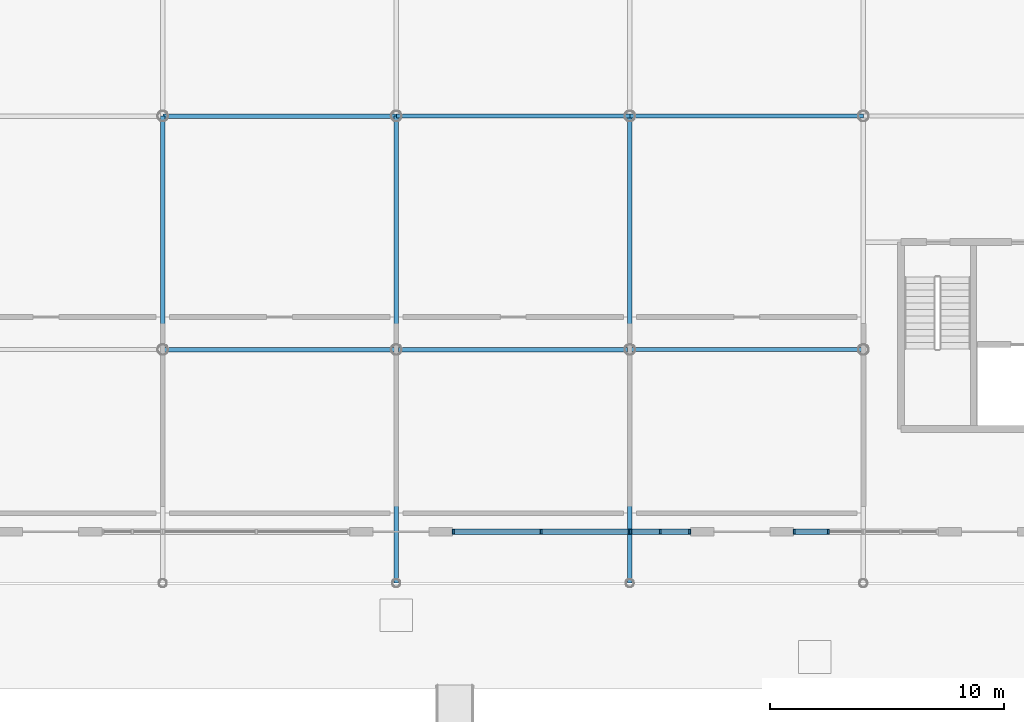
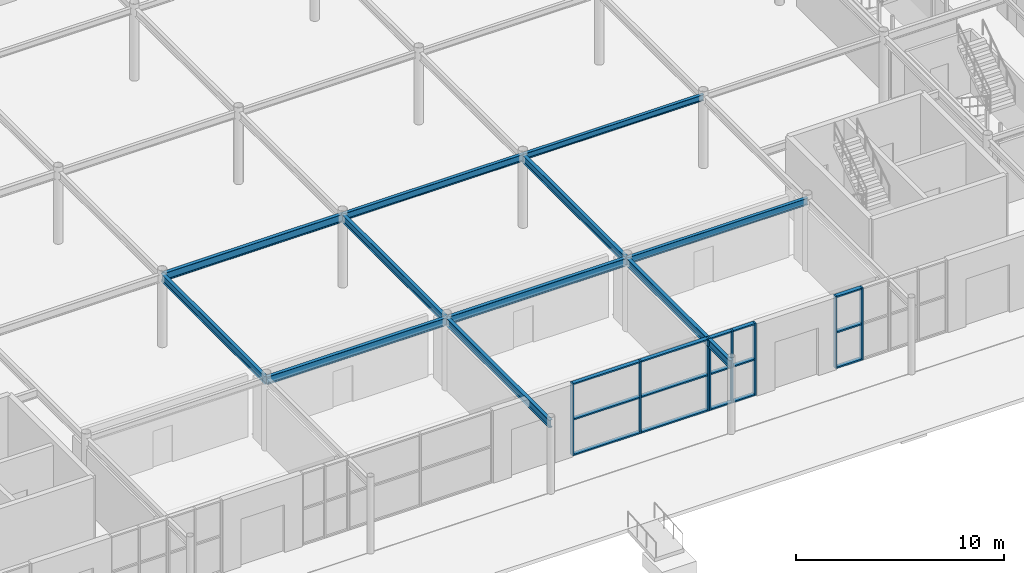
# One storey, part 54 of 119: 23 members, 11 beams, 3 elements without a shape of their own.
"""IFC4 building model written with IfcOpenShell, lengths in metres."""

import ifcopenshell
import ifcopenshell.guid

model = None  # the IFC model being written
_history = None  # IfcOwnerHistory: only IFC2X3 demands one
_inside = {}  # id of a spatial element -> (the spatial element, [elements in it])
_under = {}  # id of a project, library or spatial element -> (it, [spatial elements below it])
_declared = {}  # id of a project -> (the project, [libraries it declares])
_typed = {}  # id of a type object -> (the type object, [elements of that type])
_made_of = {}  # id of a material, layer set ... -> (it, [elements and type objects made of it])


def new_model(schema):
    """Start an empty IFC model of exactly this schema.

    Asked for "IFC4X3", IfcOpenShell would pick the latest addendum, in which some entities
    have other attributes; the version numbers below select the first issue.
    IFC2X3 requires an IfcOwnerHistory on every rooted entity: one is made here for all.
    """
    global model, _history
    if schema == "IFC4X3":
        model = ifcopenshell.file(schema_version=(4, 3, 0, 0))
    else:
        model = ifcopenshell.file(schema=schema)
    _inside.clear()
    _under.clear()
    _declared.clear()
    _typed.clear()
    _made_of.clear()
    _history = None
    if model.schema == "IFC2X3":
        org = make("IfcOrganization", Name="unknown")
        user = make(
            "IfcPersonAndOrganization",
            ThePerson=make("IfcPerson", FamilyName="unknown"),
            TheOrganization=org,
        )
        app = make(
            "IfcApplication",
            ApplicationDeveloper=org,
            Version="unknown",
            ApplicationFullName="unknown",
            ApplicationIdentifier="unknown",
        )
        _history = make(
            "IfcOwnerHistory",
            OwningUser=user,
            OwningApplication=app,
            ChangeAction="ADDED",
            CreationDate=0,
        )
    return model


def make(cls, **values):
    """One entity of the class cls with the attributes given. An attribute that is None is left unset."""
    return model.create_entity(
        cls, **{name: value for name, value in values.items() if value is not None}
    )


def rooted(cls, **values):
    """An entity with a GlobalId (a new one), such as an element, a storey or a relation."""
    return make(cls, GlobalId=ifcopenshell.guid.new(), OwnerHistory=_history, **values)


def si_unit(unit_type, name, prefix=None):
    """IfcSIUnit, for example si_unit("LENGTHUNIT", "METRE", prefix="MILLI")."""
    return make("IfcSIUnit", UnitType=unit_type, Prefix=prefix, Name=name)


def derived_unit(unit_type, elements):
    """IfcDerivedUnit: a product of units, each with its exponent."""
    return make(
        "IfcDerivedUnit",
        Elements=[
            make("IfcDerivedUnitElement", Unit=unit, Exponent=power)
            for unit, power in elements
        ],
        UnitType=unit_type,
    )


def assignment(units):
    """IfcUnitAssignment: the units of a project."""
    return None if units is None else make("IfcUnitAssignment", Units=units)


def point(xyz):
    """IfcCartesianPoint."""
    return None if xyz is None else make("IfcCartesianPoint", Coordinates=xyz)


def direction(xyz):
    """IfcDirection."""
    return None if xyz is None else make("IfcDirection", DirectionRatios=xyz)


def frame(location, z_axis=None, x_axis=None):
    """IfcAxis2Placement3D, a coordinate frame: its origin and axes. An axis left out is left unset."""
    return make(
        "IfcAxis2Placement3D",
        Location=point(location),
        Axis=direction(z_axis),
        RefDirection=direction(x_axis),
    )


def frame_2d(location, x_axis=None):
    """IfcAxis2Placement2D, a coordinate frame in the plane: its origin and x axis."""
    return make(
        "IfcAxis2Placement2D", Location=point(location), RefDirection=direction(x_axis)
    )


def origin():
    """The frame at (0, 0, 0) with its axes left unset."""
    return frame((0.0, 0.0, 0.0))


def origin_2d_with_axis():
    """The frame at (0, 0) in the plane with the x axis (1, 0) written out."""
    return frame_2d((0.0, 0.0), x_axis=(1.0, 0.0))


def place(relative_to, where):
    """IfcLocalPlacement: puts the frame where relative to a parent placement (None: the world)."""
    return make(
        "IfcLocalPlacement", PlacementRelTo=relative_to, RelativePlacement=where
    )


def context(
    kind, dimensions, precision=None, world=None, true_north=None, identifier=None
):
    """IfcGeometricRepresentationContext, for example the 3D "Model" context."""
    return make(
        "IfcGeometricRepresentationContext",
        ContextIdentifier=identifier,
        ContextType=kind,
        CoordinateSpaceDimension=dimensions,
        Precision=precision,
        WorldCoordinateSystem=world,
        TrueNorth=true_north,
    )


def subcontext(parent, identifier, kind, view, scale=None):
    """IfcGeometricRepresentationSubContext, for example "Body" below "Model"."""
    return make(
        "IfcGeometricRepresentationSubContext",
        ContextIdentifier=identifier,
        ContextType=kind,
        ParentContext=parent,
        TargetScale=scale,
        TargetView=view,
    )


def project(units=None, contexts=None):
    """IfcProject with its units and contexts."""
    return rooted(
        "IfcProject",
        Name="project",
        RepresentationContexts=contexts,
        UnitsInContext=assignment(units),
    )


def spatial(cls, under=None, at=None, **own):
    """A site, building, storey or space (cls), placed at a placement, below another one or the project."""
    s = rooted(cls, ObjectPlacement=at, **own)
    if under is not None:
        _under.setdefault(under.id(), (under, []))[1].append(s)
    return s


def profile(cls, at=None, kind="AREA", **sizes):
    """A parametric profile (cls). Its sizes go by their IFC names, for example OverallWidth=200.0."""
    return make(cls, ProfileType=kind, Position=at, **sizes)


def rectangle(**sizes):
    """IfcRectangleProfileDef."""
    return profile("IfcRectangleProfileDef", **sizes)


def i_section(**sizes):
    """IfcIShapeProfileDef."""
    return profile("IfcIShapeProfileDef", **sizes)


def extrude(swept, where, along, depth):
    """IfcExtrudedAreaSolid: the profile swept, set in the frame where, extruded along a direction by depth."""
    return make(
        "IfcExtrudedAreaSolid",
        SweptArea=swept,
        Position=where,
        ExtrudedDirection=direction(along),
        Depth=depth,
    )


def shape(context_of_items, identifier, shape_type, items):
    """IfcShapeRepresentation: the items that make up one representation, for example the "Body"."""
    return make(
        "IfcShapeRepresentation",
        ContextOfItems=context_of_items,
        RepresentationIdentifier=identifier,
        RepresentationType=shape_type,
        Items=items,
    )


def material(Name=None, Category=None):
    """IfcMaterial."""
    return make("IfcMaterial", Name=Name, Category=Category)


def material_profile(
    of_material, cross_section, Name=None, Category=None, Priority=None
):
    """IfcMaterialProfile: a cross section and its material."""
    return make(
        "IfcMaterialProfile",
        Name=Name,
        Material=of_material,
        Profile=cross_section,
        Priority=Priority,
        Category=Category,
    )


def profile_set(profiles, Name=None, composite=None):
    """IfcMaterialProfileSet."""
    return make(
        "IfcMaterialProfileSet",
        Name=Name,
        MaterialProfiles=profiles,
        CompositeProfile=composite,
    )


def made_of(thing, what):
    """Note that an element or type object is made of a material, layer set ...; save() writes the relation."""
    if what is not None:
        _made_of.setdefault(what.id(), (what, []))[1].append(thing)
    return thing


def type_object(cls, material=None, **own):
    """A type object (cls), such as IfcWallType, which elements share."""
    return made_of(rooted(cls, **own), material)


def element(
    cls,
    number,
    at=None,
    inside=None,
    cuts=None,
    type_object=None,
    material=None,
    context=None,
    identifier="Body",
    shape_type=None,
    held_by="IfcProductDefinitionShape",
    body=None,
    shapes=None,
    **own,
):
    """One element of the class cls, such as IfcWall. Its Tag is "e" and its number.

    at: its placement. inside: the storey or other place that contains it. cuts: it is an
    opening in that element (IfcRelVoidsElement). A single representation is given by context,
    identifier, shape_type and body (its items); several are given by shapes. held_by: the class
    of the entity that holds the representations. save() writes the other relations.
    """
    e = rooted(cls, Tag="e%d" % number, ObjectPlacement=at, **own)
    if body is not None:
        shapes = [shape(context, identifier, shape_type, body)]
    if shapes is not None:
        e.Representation = make(held_by, Representations=shapes)
    if inside is not None:
        _inside.setdefault(inside.id(), (inside, []))[1].append(e)
    if cuts is not None:
        rooted(
            "IfcRelVoidsElement", RelatingBuildingElement=cuts, RelatedOpeningElement=e
        )
    if type_object is not None:
        _typed.setdefault(type_object.id(), (type_object, []))[1].append(e)
    return made_of(e, material)


def aggregate(whole, parts):
    """IfcRelAggregates: a whole, such as a stair, and the parts it consists of."""
    return rooted("IfcRelAggregates", RelatingObject=whole, RelatedObjects=parts)


def save(model, path):
    """Write the relations noted so far, then the file.

    IfcRelAggregates (storeys below a building ...), IfcRelContainedInSpatialStructure (elements
    in a storey), IfcRelDefinesByType, IfcRelAssociatesMaterial and IfcRelDeclares: one each for
    every whole, place, type object, material and project.
    """
    for whole, parts in _under.values():
        aggregate(whole, parts)
    for where, things in _inside.values():
        rooted(
            "IfcRelContainedInSpatialStructure",
            RelatedElements=things,
            RelatingStructure=where,
        )
    for kind, things in _typed.values():
        rooted("IfcRelDefinesByType", RelatedObjects=things, RelatingType=kind)
    for what, things in _made_of.values():
        rooted("IfcRelAssociatesMaterial", RelatedObjects=things, RelatingMaterial=what)
    for by, libraries in _declared.values():
        rooted("IfcRelDeclares", RelatingContext=by, RelatedDefinitions=libraries)
    model.write(path)


model = new_model("IFC4")

# Units and contexts
model_context = context("Model", 3, precision=1e-05, world=origin(), true_north=direction((0.0, 1.0)))
body_context = subcontext(model_context, "Body", "Model", "MODEL_VIEW")
ifc_project = project(units=[si_unit("LENGTHUNIT", "METRE"), si_unit("AREAUNIT", "SQUARE_METRE"), si_unit("VOLUMEUNIT", "CUBIC_METRE"), si_unit("PLANEANGLEUNIT", "RADIAN"), si_unit("MASSUNIT", "GRAM", prefix="KILO"), derived_unit("THERMALTRANSMITTANCEUNIT", [(si_unit("POWERUNIT", "WATT"), 1), (si_unit("LENGTHUNIT", "METRE"), -2), (si_unit("THERMODYNAMICTEMPERATUREUNIT", "KELVIN"), -1)])], contexts=[model_context])

# Site, building, storey
site_placement = place(None, origin())
site = spatial("IfcSite", under=ifc_project, at=site_placement, CompositionType="ELEMENT")
building_placement = place(site_placement, origin())
building = spatial("IfcBuilding", under=site, at=building_placement, Name="Cinnabar Yard Market Hall", CompositionType="ELEMENT")
storey_placement = place(building_placement, origin())
storey = spatial("IfcBuildingStorey", under=building, at=storey_placement, Name="L00", CompositionType="ELEMENT", Elevation=0.0)

# Beams
ifc_material_1 = material(Name="Steel Grade 300 (300 MPa)", Category="steel")
ifc_material_profile_1 = material_profile(ifc_material_1, i_section(OverallWidth=0.19091796875, OverallDepth=0.46044921875, WebThickness=0.010009765625, FlangeThickness=0.01611328125, FilletRadius=0.011474609375, at=origin_2d_with_axis()), Name="460UB82.1")
ifc_profile_set_1 = profile_set([ifc_material_profile_1], Name="Steel Grade 300 (300 MPa)")
beam_type_1 = type_object("IfcBeamType", Name="BM-B04", PredefinedType="BEAM", material=ifc_profile_set_1)
for number, where, z_axis, x_axis, name in (
    (1, (106.0, 34.0, 4.009765625), (1.0, 0.0, 0.0), (0.0, 1.0, 0.0), "L00 Gallery Girder X 00160"),
    (2, (116.0, 24.0, 4.009765625), (1.0, 0.0, 0.0), (0.0, 1.0, 0.0), "L00 Gallery Girder X 00164"),
):
    element("IfcBeam", number, at=place(storey_placement, frame(where, z_axis=z_axis, x_axis=x_axis)), inside=storey, type_object=beam_type_1, Name=name, PredefinedType="BEAM", context=body_context, shape_type="SweptSolid", body=[
        extrude(i_section(OverallWidth=0.19091796875, OverallDepth=0.46044921875, WebThickness=0.010009765625, FlangeThickness=0.01611328125, FilletRadius=0.011474609375, at=origin_2d_with_axis()), origin(), (0.0, 0.0, 1.0), 10.0),
    ])
ifc_material_profile_2 = material_profile(ifc_material_1, i_section(OverallWidth=0.18994140625, OverallDepth=0.453857421875, WebThickness=0.008544921875, FlangeThickness=0.0126953125, FilletRadius=0.011474609375, at=origin_2d_with_axis()), Name="460UB67.1")
ifc_profile_set_2 = profile_set([ifc_material_profile_2], Name="Steel Grade 300 (300 MPa)")
beam_type_2 = type_object("IfcBeamType", Name="BM-B05", PredefinedType="BEAM", material=ifc_profile_set_2)
for number, where, z_axis, x_axis, name in (
    (3, (106.0, 24.0, 4.01318359375), (0.0, 1.0, 0.0), (-1.0, 0.0, 0.0), "L00 Gallery Girder Y 00221"),
    (4, (116.0, 24.0, 4.01318359375), (0.0, 1.0, 0.0), (-1.0, 0.0, 0.0), "L00 Gallery Girder Y 00225"),
    (5, (126.0, 24.0, 4.01318359375), (0.0, 1.0, 0.0), (-1.0, 0.0, 0.0), "L00 Gallery Girder Y 00229"),
):
    element("IfcBeam", number, at=place(storey_placement, frame(where, z_axis=z_axis, x_axis=x_axis)), inside=storey, type_object=beam_type_2, Name=name, PredefinedType="BEAM", context=body_context, shape_type="SweptSolid", body=[
        extrude(i_section(OverallWidth=0.18994140625, OverallDepth=0.453857421875, WebThickness=0.008544921875, FlangeThickness=0.0126953125, FilletRadius=0.011474609375, at=origin_2d_with_axis()), origin(), (0.0, 0.0, 1.0), 10.0),
    ])
ifc_material_profile_3 = material_profile(ifc_material_1, i_section(OverallWidth=0.18994140625, OverallDepth=0.453857421875, WebThickness=0.008544921875, FlangeThickness=0.0126953125, FilletRadius=0.011474609375, at=origin_2d_with_axis()), Name="460UB67.1")
ifc_profile_set_3 = profile_set([ifc_material_profile_3], Name="Steel Grade 300 (300 MPa)")
beam_type_3 = type_object("IfcBeamType", Name="BM-B05E", PredefinedType="BEAM", material=ifc_profile_set_3)
for number, where, z_axis, x_axis, name in (
    (6, (116.0, 24.0, 4.01318359375), (0.0, -1.0, 0.0), (1.0, 0.0, 0.0), "L00 Gallery South Tie 00188"),
    (7, (126.0, 24.0, 4.01318359375), (0.0, -1.0, 0.0), (1.0, 0.0, 0.0), "L00 Gallery South Tie 00190"),
):
    element("IfcBeam", number, at=place(storey_placement, frame(where, z_axis=z_axis, x_axis=x_axis)), inside=storey, type_object=beam_type_3, Name=name, PredefinedType="BEAM", context=body_context, shape_type="SweptSolid", body=[
        extrude(i_section(OverallWidth=0.18994140625, OverallDepth=0.453857421875, WebThickness=0.008544921875, FlangeThickness=0.0126953125, FilletRadius=0.011474609375, at=origin_2d_with_axis()), origin(), (0.0, 0.0, 1.0), 10.0),
    ])
ifc_material_profile_4 = material_profile(ifc_material_1, i_section(OverallWidth=0.177978515625, OverallDepth=0.402587890625, WebThickness=0.007568359375, FlangeThickness=0.010986328125, FilletRadius=0.011474609375, at=origin_2d_with_axis()), Name="410UB53.7")
ifc_profile_set_4 = profile_set([ifc_material_profile_4], Name="Steel Grade 300 (300 MPa)")
beam_type_4 = type_object("IfcBeamType", Name="BM-B09", PredefinedType="BEAM", material=ifc_profile_set_4)
for number, where, z_axis, x_axis, name in (
    (8, (116.0, 34.0, 4.038818359375), (1.0, 0.0, 0.0), (0.0, 1.0, 0.0), "L00 Gallery Girder X 00165"),
    (9, (126.0, 24.0, 4.038818359375), (1.0, 0.0, 0.0), (0.0, 1.0, 0.0), "L00 Gallery Girder X 00169"),
):
    element("IfcBeam", number, at=place(storey_placement, frame(where, z_axis=z_axis, x_axis=x_axis)), inside=storey, type_object=beam_type_4, Name=name, PredefinedType="BEAM", context=body_context, shape_type="SweptSolid", body=[
        extrude(i_section(OverallWidth=0.177978515625, OverallDepth=0.402587890625, WebThickness=0.007568359375, FlangeThickness=0.010986328125, FilletRadius=0.011474609375, at=origin_2d_with_axis()), origin(), (0.0, 0.0, 1.0), 10.0),
    ])
ifc_material_profile_5 = material_profile(ifc_material_1, i_section(OverallWidth=0.1708984375, OverallDepth=0.355712890625, WebThickness=0.00732421875, FlangeThickness=0.011474609375, FilletRadius=0.011474609375, at=origin_2d_with_axis()), Name="360UB50.7")
ifc_profile_set_5 = profile_set([ifc_material_profile_5], Name="Steel Grade 300 (300 MPa)")
beam_type_5 = type_object("IfcBeamType", Name="BM-B10", PredefinedType="BEAM", material=ifc_profile_set_5)
beam_1_placement = place(storey_placement, frame((126.0, 34.0, 4.062255859375), z_axis=(1.0, 0.0, 0.0), x_axis=(0.0, 1.0, 0.0)))
element("IfcBeam", 10, at=beam_1_placement, inside=storey, type_object=beam_type_5, Name="L00 Gallery Girder X 00170", PredefinedType="BEAM", context=body_context, shape_type="SweptSolid", body=[
    extrude(i_section(OverallWidth=0.1708984375, OverallDepth=0.355712890625, WebThickness=0.00732421875, FlangeThickness=0.011474609375, FilletRadius=0.011474609375, at=origin_2d_with_axis()), origin(), (0.0, 0.0, 1.0), 10.0),
])
ifc_material_profile_6 = material_profile(ifc_material_1, i_section(OverallWidth=0.18994140625, OverallDepth=0.453857421875, WebThickness=0.008544921875, FlangeThickness=0.0126953125, FilletRadius=0.011474609375, at=origin_2d_with_axis()), Name="460UB67.1")
ifc_profile_set_6 = profile_set([ifc_material_profile_6], Name="Steel Grade 300 (300 MPa)")
beam_type_6 = type_object("IfcBeamType", Name="BM-B14", PredefinedType="BEAM", material=ifc_profile_set_6)
beam_2_placement = place(storey_placement, frame((106.0, 24.0, 4.01318359375), z_axis=(1.0, 0.0, 0.0), x_axis=(0.0, 1.0, 0.0)))
element("IfcBeam", 11, at=beam_2_placement, inside=storey, type_object=beam_type_6, Name="L00 Gallery Girder X 00159", PredefinedType="BEAM", context=body_context, shape_type="SweptSolid", body=[
    extrude(i_section(OverallWidth=0.18994140625, OverallDepth=0.453857421875, WebThickness=0.008544921875, FlangeThickness=0.0126953125, FilletRadius=0.011474609375, at=origin_2d_with_axis()), origin(), (0.0, 0.0, 1.0), 10.0),
])

# Curtain wall, members
ifc_material_2 = material(Name="Anodised bronze aluminium and low-E glass", Category="aluminium")
curtain_wall_type_1 = type_object("IfcCurtainWallType", Name="CW-CWH076x42", PredefinedType="NOTDEFINED", material=ifc_material_2)
curtain_wall_1_placement = place(storey_placement, origin())
curtain_wall_1 = element("IfcCurtainWall", 12, at=curtain_wall_1_placement, inside=storey, type_object=curtain_wall_type_1, Name="Market Hall South Ground Glazing B4", PredefinedType="NOTDEFINED")
ifc_material_3 = material(Name="Anodised bronze aluminium", Category="aluminium")
ifc_material_profile_7 = material_profile(ifc_material_3, rectangle(XDim=0.219970703125, YDim=0.080078125, at=origin_2d_with_axis()), Name="MUL-CWH")
ifc_profile_set_7 = profile_set([ifc_material_profile_7], Name="Anodised bronze aluminium")
member_type_1 = type_object("IfcMemberType", Name="CWM-CWH", PredefinedType="MULLION", material=ifc_profile_set_7)
member_1_placement = place(storey_placement, frame((118.43994140625, 16.199951171875, 0.0), z_axis=(0.0, 0.0, 1.0), x_axis=(0.0, 1.0, 0.0)))
member_1 = element("IfcMember", 13, at=member_1_placement, type_object=member_type_1, Name="CWH076x42 mullion 1", PredefinedType="MULLION", context=body_context, shape_type="SweptSolid", body=[
    extrude(rectangle(XDim=0.219970703125, YDim=0.080078125, at=origin_2d_with_axis()), origin(), (0.0, 0.0, 1.0), 4.239990234375),
])
member_2_placement = place(storey_placement, frame((122.199951171875, 16.199951171875, 0.0), z_axis=(0.0, 0.0, 1.0), x_axis=(0.0, 1.0, 0.0)))
member_2 = element("IfcMember", 14, at=member_2_placement, type_object=member_type_1, Name="CWH076x42 mullion 2", PredefinedType="MULLION", context=body_context, shape_type="SweptSolid", body=[
    extrude(rectangle(XDim=0.219970703125, YDim=0.080078125, at=origin_2d_with_axis()), origin(), (0.0, 0.0, 1.0), 4.239990234375),
])
member_3_placement = place(storey_placement, frame((125.9599609375, 16.199951171875, 0.0), z_axis=(0.0, 0.0, 1.0), x_axis=(0.0, 1.0, 0.0)))
member_3 = element("IfcMember", 15, at=member_3_placement, type_object=member_type_1, Name="CWH076x42 mullion 3", PredefinedType="MULLION", context=body_context, shape_type="SweptSolid", body=[
    extrude(rectangle(XDim=0.219970703125, YDim=0.080078125, at=origin_2d_with_axis()), origin(), (0.0, 0.0, 1.0), 4.239990234375),
])

curtain_wall_type_2 = type_object("IfcCurtainWallType", Name="CW-CWH026x42", PredefinedType="NOTDEFINED", material=ifc_material_2)
curtain_wall_2_placement = place(storey_placement, origin())
curtain_wall_2 = element("IfcCurtainWall", 16, at=curtain_wall_2_placement, inside=storey, type_object=curtain_wall_type_2, Name="Market Hall South Ground Glazing B5A", PredefinedType="NOTDEFINED")
member_4_placement = place(storey_placement, frame((126.0400390625, 16.199951171875, 0.0), z_axis=(0.0, 0.0, 1.0), x_axis=(0.0, 1.0, 0.0)))
member_4 = element("IfcMember", 17, at=member_4_placement, type_object=member_type_1, Name="CWH026x42 mullion 1", PredefinedType="MULLION", context=body_context, shape_type="SweptSolid", body=[
    extrude(rectangle(XDim=0.219970703125, YDim=0.080078125, at=origin_2d_with_axis()), origin(), (0.0, 0.0, 1.0), 4.239990234375),
])
member_5_placement = place(storey_placement, frame((127.300048828125, 16.199951171875, 0.0), z_axis=(0.0, 0.0, 1.0), x_axis=(0.0, 1.0, 0.0)))
member_5 = element("IfcMember", 18, at=member_5_placement, type_object=member_type_1, Name="CWH026x42 mullion 2", PredefinedType="MULLION", context=body_context, shape_type="SweptSolid", body=[
    extrude(rectangle(XDim=0.219970703125, YDim=0.080078125, at=origin_2d_with_axis()), origin(), (0.0, 0.0, 1.0), 4.239990234375),
])
member_6_placement = place(storey_placement, frame((128.56005859375, 16.199951171875, 0.0), z_axis=(0.0, 0.0, 1.0), x_axis=(0.0, 1.0, 0.0)))
member_6 = element("IfcMember", 19, at=member_6_placement, type_object=member_type_1, Name="CWH026x42 mullion 3", PredefinedType="MULLION", context=body_context, shape_type="SweptSolid", body=[
    extrude(rectangle(XDim=0.219970703125, YDim=0.080078125, at=origin_2d_with_axis()), origin(), (0.0, 0.0, 1.0), 4.239990234375),
])

curtain_wall_type_3 = type_object("IfcCurtainWallType", Name="CW-CWH030x42", PredefinedType="NOTDEFINED", material=ifc_material_2)
curtain_wall_3_placement = place(storey_placement, origin())
curtain_wall_3 = element("IfcCurtainWall", 20, at=curtain_wall_3_placement, inside=storey, type_object=curtain_wall_type_3, Name="Market Hall South Ground Glazing B5B", PredefinedType="NOTDEFINED")
member_7_placement = place(storey_placement, frame((133.0400390625, 16.199951171875, 0.0), z_axis=(0.0, 0.0, 1.0), x_axis=(0.0, 1.0, 0.0)))
member_7 = element("IfcMember", 21, at=member_7_placement, type_object=member_type_1, Name="CWH030x42 mullion 1", PredefinedType="MULLION", context=body_context, shape_type="SweptSolid", body=[
    extrude(rectangle(XDim=0.219970703125, YDim=0.080078125, at=origin_2d_with_axis()), origin(), (0.0, 0.0, 1.0), 4.239990234375),
])
member_8_placement = place(storey_placement, frame((134.5, 16.199951171875, 0.0), z_axis=(0.0, 0.0, 1.0), x_axis=(0.0, 1.0, 0.0)))
member_8 = element("IfcMember", 22, at=member_8_placement, type_object=member_type_1, Name="CWH030x42 mullion 2", PredefinedType="MULLION", context=body_context, shape_type="SweptSolid", body=[
    extrude(rectangle(XDim=0.219970703125, YDim=0.080078125, at=origin_2d_with_axis()), origin(), (0.0, 0.0, 1.0), 4.239990234375),
])

# Member
ifc_material_profile_8 = material_profile(ifc_material_3, rectangle(XDim=0.219970703125, YDim=0.080078125, at=origin_2d_with_axis()), Name="TRN-CWH")
ifc_profile_set_8 = profile_set([ifc_material_profile_8], Name="Anodised bronze aluminium")
member_type_2 = type_object("IfcMemberType", Name="CWT-CWH", PredefinedType="USERDEFINED", material=ifc_profile_set_8)
member_9_placement = place(storey_placement, frame((118.47998046875, 16.199951171875, 0.0400390625), z_axis=(1.0, 0.0, 0.0), x_axis=(0.0, 1.0, 0.0)))
member_9 = element("IfcMember", 23, at=member_9_placement, type_object=member_type_2, Name="CWH076x42 transom 1.1", ObjectType="TRANSOM", PredefinedType="USERDEFINED", context=body_context, shape_type="SweptSolid", body=[
    extrude(rectangle(XDim=0.219970703125, YDim=0.080078125, at=origin_2d_with_axis()), origin(), (0.0, 0.0, 1.0), 3.679931640625),
])

member_10_placement = place(storey_placement, frame((118.47998046875, 16.199951171875, 2.1201171875), z_axis=(1.0, 0.0, 0.0), x_axis=(0.0, 1.0, 0.0)))
member_10 = element("IfcMember", 24, at=member_10_placement, type_object=member_type_2, Name="CWH076x42 transom 1.2", ObjectType="TRANSOM", PredefinedType="USERDEFINED", context=body_context, shape_type="SweptSolid", body=[
    extrude(rectangle(XDim=0.219970703125, YDim=0.080078125, at=origin_2d_with_axis()), origin(), (0.0, 0.0, 1.0), 3.679931640625),
])

member_11_placement = place(storey_placement, frame((118.47998046875, 16.199951171875, 4.199951171875), z_axis=(1.0, 0.0, 0.0), x_axis=(0.0, 1.0, 0.0)))
member_11 = element("IfcMember", 25, at=member_11_placement, type_object=member_type_2, Name="CWH076x42 transom 1.3", ObjectType="TRANSOM", PredefinedType="USERDEFINED", context=body_context, shape_type="SweptSolid", body=[
    extrude(rectangle(XDim=0.219970703125, YDim=0.080078125, at=origin_2d_with_axis()), origin(), (0.0, 0.0, 1.0), 3.679931640625),
])

member_12_placement = place(storey_placement, frame((122.239990234375, 16.199951171875, 0.0400390625), z_axis=(1.0, 0.0, 0.0), x_axis=(0.0, 1.0, 0.0)))
member_12 = element("IfcMember", 26, at=member_12_placement, type_object=member_type_2, Name="CWH076x42 transom 2.1", ObjectType="TRANSOM", PredefinedType="USERDEFINED", context=body_context, shape_type="SweptSolid", body=[
    extrude(rectangle(XDim=0.219970703125, YDim=0.080078125, at=origin_2d_with_axis()), origin(), (0.0, 0.0, 1.0), 3.679931640625),
])

member_13_placement = place(storey_placement, frame((122.239990234375, 16.199951171875, 2.1201171875), z_axis=(1.0, 0.0, 0.0), x_axis=(0.0, 1.0, 0.0)))
member_13 = element("IfcMember", 27, at=member_13_placement, type_object=member_type_2, Name="CWH076x42 transom 2.2", ObjectType="TRANSOM", PredefinedType="USERDEFINED", context=body_context, shape_type="SweptSolid", body=[
    extrude(rectangle(XDim=0.219970703125, YDim=0.080078125, at=origin_2d_with_axis()), origin(), (0.0, 0.0, 1.0), 3.679931640625),
])

member_14_placement = place(storey_placement, frame((122.239990234375, 16.199951171875, 4.199951171875), z_axis=(1.0, 0.0, 0.0), x_axis=(0.0, 1.0, 0.0)))
member_14 = element("IfcMember", 28, at=member_14_placement, type_object=member_type_2, Name="CWH076x42 transom 2.3", ObjectType="TRANSOM", PredefinedType="USERDEFINED", context=body_context, shape_type="SweptSolid", body=[
    extrude(rectangle(XDim=0.219970703125, YDim=0.080078125, at=origin_2d_with_axis()), origin(), (0.0, 0.0, 1.0), 3.679931640625),
])

aggregate(curtain_wall_1, [member_1, member_2, member_3, member_9, member_10, member_11, member_12, member_13, member_14])

member_15_placement = place(storey_placement, frame((126.080078125, 16.199951171875, 0.0400390625), z_axis=(1.0, 0.0, 0.0), x_axis=(0.0, 1.0, 0.0)))
member_15 = element("IfcMember", 29, at=member_15_placement, type_object=member_type_2, Name="CWH026x42 transom 1.1", ObjectType="TRANSOM", PredefinedType="USERDEFINED", context=body_context, shape_type="SweptSolid", body=[
    extrude(rectangle(XDim=0.219970703125, YDim=0.080078125, at=origin_2d_with_axis()), origin(), (0.0, 0.0, 1.0), 1.179931640625),
])

member_16_placement = place(storey_placement, frame((126.080078125, 16.199951171875, 2.1201171875), z_axis=(1.0, 0.0, 0.0), x_axis=(0.0, 1.0, 0.0)))
member_16 = element("IfcMember", 30, at=member_16_placement, type_object=member_type_2, Name="CWH026x42 transom 1.2", ObjectType="TRANSOM", PredefinedType="USERDEFINED", context=body_context, shape_type="SweptSolid", body=[
    extrude(rectangle(XDim=0.219970703125, YDim=0.080078125, at=origin_2d_with_axis()), origin(), (0.0, 0.0, 1.0), 1.179931640625),
])

member_17_placement = place(storey_placement, frame((126.080078125, 16.199951171875, 4.199951171875), z_axis=(1.0, 0.0, 0.0), x_axis=(0.0, 1.0, 0.0)))
member_17 = element("IfcMember", 31, at=member_17_placement, type_object=member_type_2, Name="CWH026x42 transom 1.3", ObjectType="TRANSOM", PredefinedType="USERDEFINED", context=body_context, shape_type="SweptSolid", body=[
    extrude(rectangle(XDim=0.219970703125, YDim=0.080078125, at=origin_2d_with_axis()), origin(), (0.0, 0.0, 1.0), 1.179931640625),
])

member_18_placement = place(storey_placement, frame((127.340087890625, 16.199951171875, 0.0400390625), z_axis=(1.0, 0.0, 0.0), x_axis=(0.0, 1.0, 0.0)))
member_18 = element("IfcMember", 32, at=member_18_placement, type_object=member_type_2, Name="CWH026x42 transom 2.1", ObjectType="TRANSOM", PredefinedType="USERDEFINED", context=body_context, shape_type="SweptSolid", body=[
    extrude(rectangle(XDim=0.219970703125, YDim=0.080078125, at=origin_2d_with_axis()), origin(), (0.0, 0.0, 1.0), 1.179931640625),
])

member_19_placement = place(storey_placement, frame((127.340087890625, 16.199951171875, 2.1201171875), z_axis=(1.0, 0.0, 0.0), x_axis=(0.0, 1.0, 0.0)))
member_19 = element("IfcMember", 33, at=member_19_placement, type_object=member_type_2, Name="CWH026x42 transom 2.2", ObjectType="TRANSOM", PredefinedType="USERDEFINED", context=body_context, shape_type="SweptSolid", body=[
    extrude(rectangle(XDim=0.219970703125, YDim=0.080078125, at=origin_2d_with_axis()), origin(), (0.0, 0.0, 1.0), 1.179931640625),
])

member_20_placement = place(storey_placement, frame((127.340087890625, 16.199951171875, 4.199951171875), z_axis=(1.0, 0.0, 0.0), x_axis=(0.0, 1.0, 0.0)))
member_20 = element("IfcMember", 34, at=member_20_placement, type_object=member_type_2, Name="CWH026x42 transom 2.3", ObjectType="TRANSOM", PredefinedType="USERDEFINED", context=body_context, shape_type="SweptSolid", body=[
    extrude(rectangle(XDim=0.219970703125, YDim=0.080078125, at=origin_2d_with_axis()), origin(), (0.0, 0.0, 1.0), 1.179931640625),
])

aggregate(curtain_wall_2, [member_4, member_5, member_6, member_15, member_16, member_17, member_18, member_19, member_20])

member_21_placement = place(storey_placement, frame((133.080078125, 16.199951171875, 0.0400390625), z_axis=(1.0, 0.0, 0.0), x_axis=(0.0, 1.0, 0.0)))
member_21 = element("IfcMember", 35, at=member_21_placement, type_object=member_type_2, Name="CWH030x42 transom 1.1", ObjectType="TRANSOM", PredefinedType="USERDEFINED", context=body_context, shape_type="SweptSolid", body=[
    extrude(rectangle(XDim=0.219970703125, YDim=0.080078125, at=origin_2d_with_axis()), origin(), (0.0, 0.0, 1.0), 1.3798828125),
])

member_22_placement = place(storey_placement, frame((133.080078125, 16.199951171875, 2.1201171875), z_axis=(1.0, 0.0, 0.0), x_axis=(0.0, 1.0, 0.0)))
member_22 = element("IfcMember", 36, at=member_22_placement, type_object=member_type_2, Name="CWH030x42 transom 1.2", ObjectType="TRANSOM", PredefinedType="USERDEFINED", context=body_context, shape_type="SweptSolid", body=[
    extrude(rectangle(XDim=0.219970703125, YDim=0.080078125, at=origin_2d_with_axis()), origin(), (0.0, 0.0, 1.0), 1.3798828125),
])

member_23_placement = place(storey_placement, frame((133.080078125, 16.199951171875, 4.199951171875), z_axis=(1.0, 0.0, 0.0), x_axis=(0.0, 1.0, 0.0)))
member_23 = element("IfcMember", 37, at=member_23_placement, type_object=member_type_2, Name="CWH030x42 transom 1.3", ObjectType="TRANSOM", PredefinedType="USERDEFINED", context=body_context, shape_type="SweptSolid", body=[
    extrude(rectangle(XDim=0.219970703125, YDim=0.080078125, at=origin_2d_with_axis()), origin(), (0.0, 0.0, 1.0), 1.3798828125),
])

aggregate(curtain_wall_3, [member_7, member_8, member_21, member_22, member_23])

save(model, "model.ifc")
